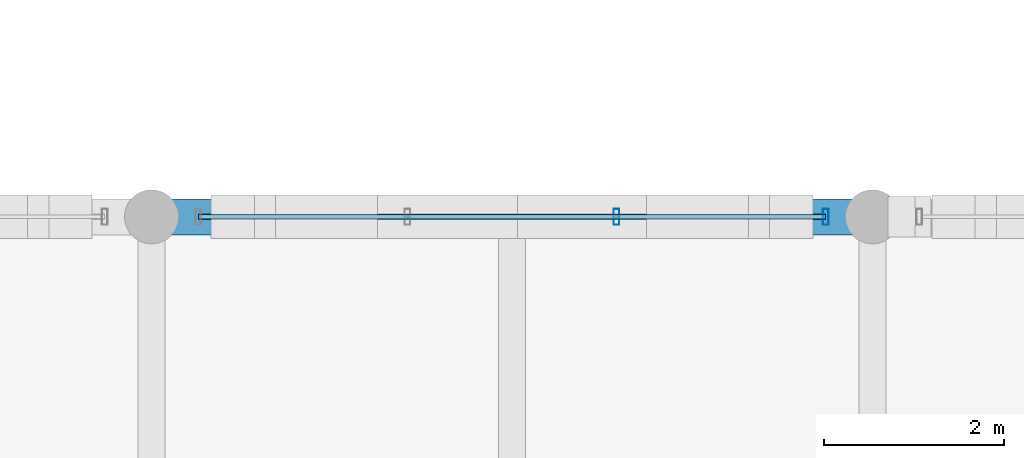
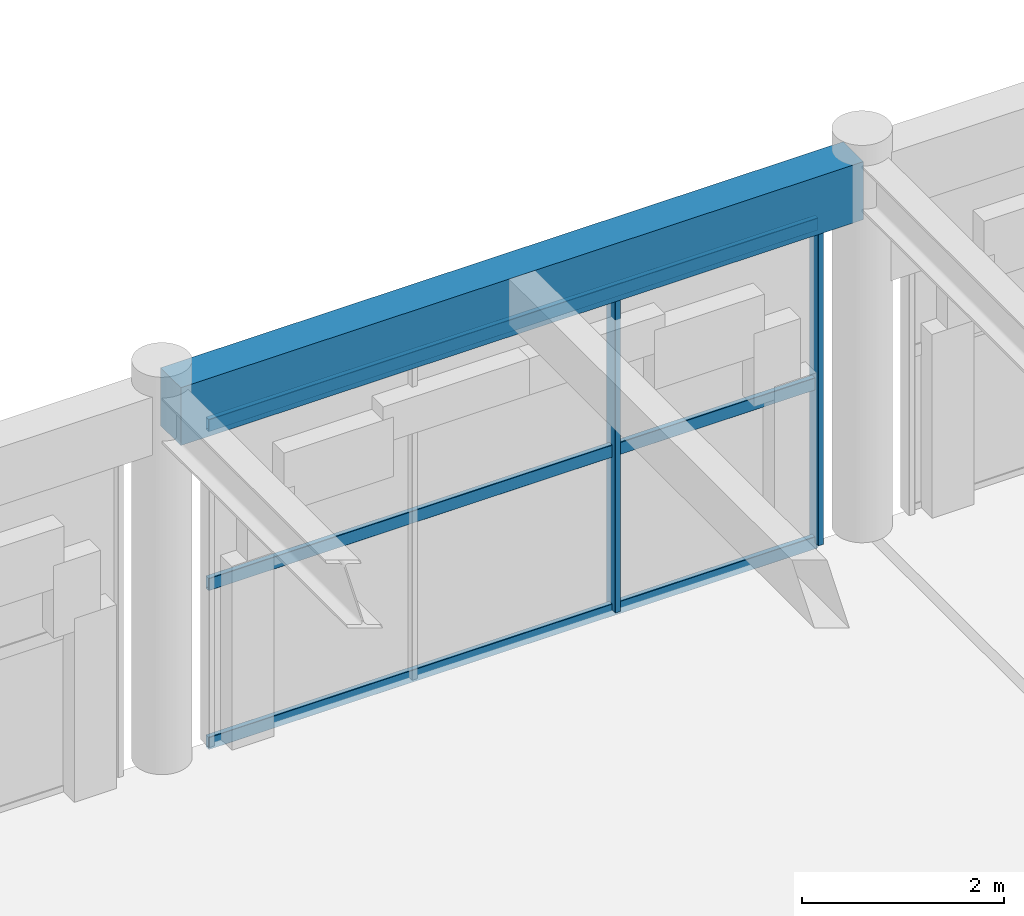
# One storey, part 47 of 144: 5 members, 1 beam, 1 element without a shape of its own.
"""IFC4 building model written with IfcOpenShell, lengths in metres."""

from ifc_helpers import new_model, si_unit, direction, frame, origin, origin_2d, place, context, subcontext, project, spatial, rectangle, hollow_rectangle, extrude, material, material_profile, profile_set, type_object, element, aggregate, save


model = new_model("IFC4")

# Units and contexts
model_context = context("Model", 3, precision=1e-05, world=origin(), true_north=direction((0.0, 1.0)))
body_context = subcontext(model_context, "Body", "Model", "MODEL_VIEW")
ifc_project = project(units=[si_unit("LENGTHUNIT", "METRE"), si_unit("AREAUNIT", "SQUARE_METRE"), si_unit("VOLUMEUNIT", "CUBIC_METRE"), si_unit("PLANEANGLEUNIT", "RADIAN"), si_unit("MASSUNIT", "GRAM", prefix="KILO")], contexts=[model_context])

# Site, building, storey
site_placement = place(None, origin())
site = spatial("IfcSite", under=ifc_project, at=site_placement, CompositionType="ELEMENT")
building_placement = place(site_placement, origin())
building = spatial("IfcBuilding", under=site, at=building_placement, Name="Varnabhumi Central Station", CompositionType="ELEMENT")
storey_placement = place(building_placement, frame((0.0, 0.0, 4.800048828125)))
storey = spatial("IfcBuildingStorey", under=building, at=storey_placement, Name="L01", CompositionType="ELEMENT", Elevation=4.800048828125)

# Beam
ifc_material_1 = material(Name="Concrete M40", Category="concrete")
ifc_material_profile_1 = material_profile(ifc_material_1, rectangle(XDim=0.39990234375, YDim=0.699951171875, at=origin_2d()), Name="Concrete M40", Category="concrete")
ifc_profile_set_1 = profile_set([ifc_material_profile_1], Name="Concrete M40")
beam_type = type_object("IfcBeamType", Name="BM-RC-400x700", PredefinedType="BEAM", material=ifc_profile_set_1)
beam_placement = place(storey_placement, frame((56.10009765625, 89.0, 4.199951171875), z_axis=(1.0, 0.0, 0.0), x_axis=(0.0, 1.0, 0.0)))
element("IfcBeam", 1, at=beam_placement, inside=storey, type_object=beam_type, Name="Beam L01-L:8-9", PredefinedType="BEAM", context=body_context, shape_type="SweptSolid", body=[
    extrude(rectangle(XDim=0.39990234375, YDim=0.699951171875, at=origin_2d()), origin(), (0.0, 0.0, 1.0), 7.7998046875),
])

# Curtain wall, members
ifc_material_2 = material(Name="Anodised aluminium 6063-T6", Category="aluminium")
curtain_wall_type = type_object("IfcCurtainWallType", Name="CW-PATIO-LOGGIA-L1", PredefinedType="NOTDEFINED", material=ifc_material_2)
curtain_wall_placement = place(storey_placement, origin())
curtain_wall = element("IfcCurtainWall", 2, at=curtain_wall_placement, inside=storey, type_object=curtain_wall_type, Name="Curtain Wall CW-NP1S2", PredefinedType="NOTDEFINED")
ifc_material_profile_2 = material_profile(ifc_material_2, hollow_rectangle(XDim=0.06494140625, YDim=0.179931640625, WallThickness=0.00390625, InnerFilletRadius=0.001953125, OuterFilletRadius=0.006103515625, at=origin_2d()), Name="Anodised aluminium 6063-T6", Category="aluminium")
ifc_profile_set_2 = profile_set([ifc_material_profile_2], Name="Anodised aluminium 6063-T6")
member_type_1 = type_object("IfcMemberType", Name="CW-MUL-180", PredefinedType="MULLION", material=ifc_profile_set_2)
member_1_placement = place(storey_placement, frame((61.159912109375, 89.0, 0.0), z_axis=(0.0, 0.0, 1.0), x_axis=(1.0, 0.0, 0.0)))
member_1 = element("IfcMember", 3, at=member_1_placement, type_object=member_type_1, Name="Curtain Wall Mullion CW-NP1S2-M3", PredefinedType="MULLION", context=body_context, shape_type="SweptSolid", body=[
    extrude(hollow_rectangle(XDim=0.06494140625, YDim=0.179931640625, WallThickness=0.00390625, InnerFilletRadius=0.001953125, OuterFilletRadius=0.006103515625, at=origin_2d()), origin(), (0.0, 0.0, 1.0), 3.83984375),
])
member_2_placement = place(storey_placement, frame((63.47998046875, 89.0, 0.0), z_axis=(0.0, 0.0, 1.0), x_axis=(1.0, 0.0, 0.0)))
member_2 = element("IfcMember", 4, at=member_2_placement, type_object=member_type_1, Name="Curtain Wall Mullion CW-NP1S2-M4", PredefinedType="MULLION", context=body_context, shape_type="SweptSolid", body=[
    extrude(hollow_rectangle(XDim=0.06494140625, YDim=0.179931640625, WallThickness=0.00390625, InnerFilletRadius=0.001953125, OuterFilletRadius=0.006103515625, at=origin_2d()), origin(), (0.0, 0.0, 1.0), 3.83984375),
])
ifc_material_profile_3 = material_profile(ifc_material_2, hollow_rectangle(XDim=0.06005859375, YDim=0.14990234375, WallThickness=0.00390625, InnerFilletRadius=0.001953125, OuterFilletRadius=0.006103515625, at=origin_2d()), Name="Anodised aluminium 6063-T6", Category="aluminium")
ifc_profile_set_3 = profile_set([ifc_material_profile_3], Name="Anodised aluminium 6063-T6")
member_type_2 = type_object("IfcMemberType", Name="CW-TR-150", PredefinedType="USERDEFINED", material=ifc_profile_set_3)
member_3_placement = place(storey_placement, frame((56.52001953125, 89.0, 0.0), z_axis=(1.0, 0.0, 0.0), x_axis=(0.0, 1.0, 0.0)))
member_3 = element("IfcMember", 5, at=member_3_placement, type_object=member_type_2, Name="Curtain Wall Transom CW-NP1S2-T1", ObjectType="TRANSOM", PredefinedType="USERDEFINED", context=body_context, shape_type="SweptSolid", body=[
    extrude(hollow_rectangle(XDim=0.06005859375, YDim=0.14990234375, WallThickness=0.00390625, InnerFilletRadius=0.001953125, OuterFilletRadius=0.006103515625, at=origin_2d()), origin(), (0.0, 0.0, 1.0), 6.9599609375),
])
member_4_placement = place(storey_placement, frame((56.52001953125, 89.0, 1.919921875), z_axis=(1.0, 0.0, 0.0), x_axis=(0.0, 1.0, 0.0)))
member_4 = element("IfcMember", 6, at=member_4_placement, type_object=member_type_2, Name="Curtain Wall Transom CW-NP1S2-T2", ObjectType="TRANSOM", PredefinedType="USERDEFINED", context=body_context, shape_type="SweptSolid", body=[
    extrude(hollow_rectangle(XDim=0.06005859375, YDim=0.14990234375, WallThickness=0.00390625, InnerFilletRadius=0.001953125, OuterFilletRadius=0.006103515625, at=origin_2d()), origin(), (0.0, 0.0, 1.0), 6.9599609375),
])
member_5_placement = place(storey_placement, frame((56.52001953125, 89.0, 3.83984375), z_axis=(1.0, 0.0, 0.0), x_axis=(0.0, 1.0, 0.0)))
member_5 = element("IfcMember", 7, at=member_5_placement, type_object=member_type_2, Name="Curtain Wall Transom CW-NP1S2-T3", ObjectType="TRANSOM", PredefinedType="USERDEFINED", context=body_context, shape_type="SweptSolid", body=[
    extrude(hollow_rectangle(XDim=0.06005859375, YDim=0.14990234375, WallThickness=0.00390625, InnerFilletRadius=0.001953125, OuterFilletRadius=0.006103515625, at=origin_2d()), origin(), (0.0, 0.0, 1.0), 6.9599609375),
])
aggregate(curtain_wall, [member_1, member_2, member_3, member_4, member_5])

save(model, "model.ifc")
